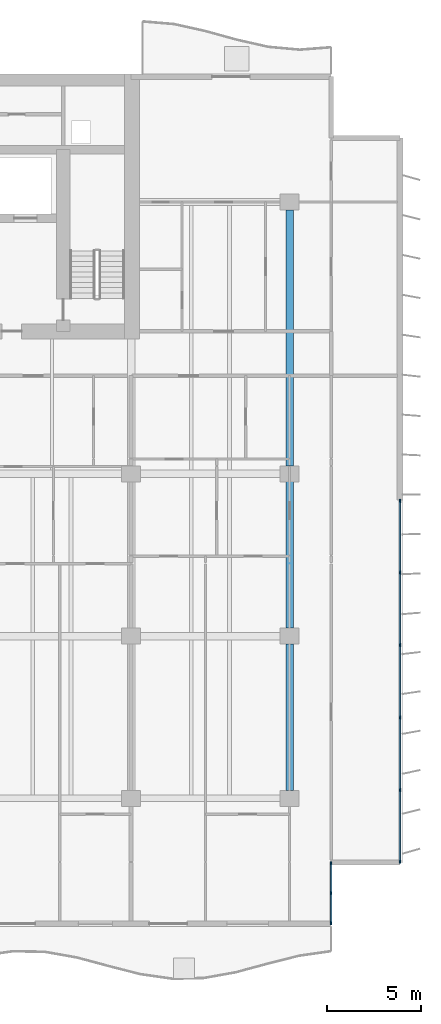
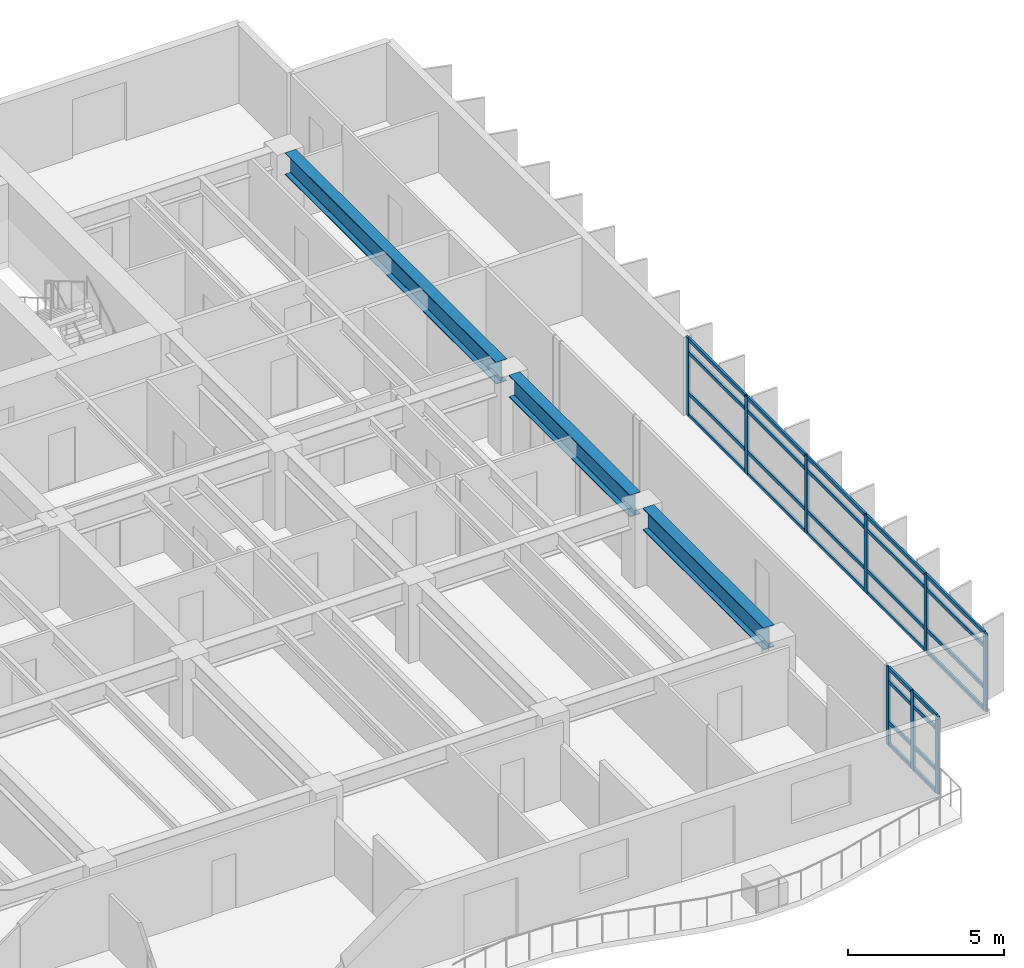
# One storey, part 4 of 16: 37 members, 3 beams, 2 elements without a shape of their own.
"""IFC4 building model written with IfcOpenShell, lengths in metres."""

from ifc_helpers import new_model, si_unit, direction, frame, origin, origin_2d, place, context, subcontext, project, spatial, rectangle, i_section, extrude, material, layer, layer_set, material_profile, profile_set, type_object, element, aggregate, save


model = new_model("IFC4")

# Units and contexts
model_context = context("Model", 3, precision=1e-05, world=origin(), true_north=direction((0.0, 1.0)))
body_context = subcontext(model_context, "Body", "Model", "MODEL_VIEW")
ifc_project = project(units=[si_unit("LENGTHUNIT", "METRE"), si_unit("AREAUNIT", "SQUARE_METRE"), si_unit("VOLUMEUNIT", "CUBIC_METRE"), si_unit("PLANEANGLEUNIT", "RADIAN"), si_unit("MASSUNIT", "GRAM", prefix="KILO")], contexts=[model_context])

# Site, building, storey
site_placement = place(None, origin())
site = spatial("IfcSite", under=ifc_project, at=site_placement, CompositionType="ELEMENT")
building_placement = place(site_placement, origin())
building = spatial("IfcBuilding", under=site, at=building_placement, Name="Caelmar Bay Residences", CompositionType="ELEMENT")
storey_placement = place(building_placement, frame((0.0, 0.0, 102.60009765625)))
storey = spatial("IfcBuildingStorey", under=building, at=storey_placement, Name="L27", CompositionType="ELEMENT", Elevation=102.60009765625)

# Beams
ifc_material_1 = material(Name="Steel ASTM A992 Grade 50", Category="steel")
ifc_material_profile_1 = material_profile(ifc_material_1, i_section(OverallWidth=0.40087890625, OverallDepth=0.861083984375, WebThickness=0.019775390625, FlangeThickness=0.032470703125, FilletRadius=0.017822265625, at=origin_2d()), Name="W33X221")
ifc_profile_set_1 = profile_set([ifc_material_profile_1], Name="Steel ASTM A992 Grade 50")
beam_type = type_object("IfcBeamType", Name="BM-GRD-W33X221", PredefinedType="BEAM", material=ifc_profile_set_1)
for number, where, z_axis, x_axis, name in (
    (1, (67.89990234375, 12.614990234375, 2.619384765625), (0.0, 1.0, 0.0), (-1.0, 0.0, 0.0), "L27 North-South Girder X=67.90 (12.2-20.8)"),
    (2, (67.89990234375, 21.215087890625, 2.619384765625), (0.0, 1.0, 0.0), (-1.0, 0.0, 0.0), "L27 North-South Girder X=67.90 (20.8-29.4)"),
):
    element("IfcBeam", number, at=place(storey_placement, frame(where, z_axis=z_axis, x_axis=x_axis)), inside=storey, type_object=beam_type, Name=name, PredefinedType="BEAM", context=body_context, shape_type="SweptSolid", body=[
        extrude(i_section(OverallWidth=0.40087890625, OverallDepth=0.861083984375, WebThickness=0.019775390625, FlangeThickness=0.032470703125, FilletRadius=0.017822265625, at=origin_2d()), origin(), (0.0, 0.0, 1.0), 7.77001953125),
    ])
beam_placement = place(storey_placement, frame((67.89990234375, 29.81494140625, 2.619384765625), z_axis=(0.0, 1.0, 0.0), x_axis=(-1.0, 0.0, 0.0)))
element("IfcBeam", 3, at=beam_placement, inside=storey, type_object=beam_type, Name="L27 North-South Girder X=67.90 (29.4-43.8)", PredefinedType="BEAM", context=body_context, shape_type="SweptSolid", body=[
    extrude(i_section(OverallWidth=0.40087890625, OverallDepth=0.861083984375, WebThickness=0.019775390625, FlangeThickness=0.032470703125, FilletRadius=0.017822265625, at=origin_2d()), origin(), (0.0, 0.0, 1.0), 13.570068359375),
])

# Curtain wall, members
ifc_material_2 = material(Name="Anodised bronze aluminium 6063-T6 and laminated glass", Category="aluminium")
ifc_layer_1 = layer(ifc_material_2, 0.179931640625)
ifc_layer_set_1 = layer_set([ifc_layer_1], Name="Anodised bronze aluminium 6063-T6 and laminated glass")
curtain_wall_type_1 = type_object("IfcCurtainWallType", Name="CW6-NTC", PredefinedType="NOTDEFINED", material=ifc_layer_set_1)
curtain_wall_1_placement = place(storey_placement, origin())
curtain_wall_1 = element("IfcCurtainWall", 4, at=curtain_wall_1_placement, inside=storey, type_object=curtain_wall_type_1, Name="CW6 curtain wall L27", PredefinedType="NOTDEFINED")
ifc_material_3 = material(Name="Anodised bronze aluminium 6063-T6", Category="aluminium")
ifc_material_profile_2 = material_profile(ifc_material_3, rectangle(XDim=0.080078125, YDim=0.179931640625, at=origin_2d()), Name="CWM-80X180")
ifc_profile_set_2 = profile_set([ifc_material_profile_2], Name="Anodised bronze aluminium 6063-T6")
member_type_1 = type_object("IfcMemberType", Name="CWM-180", PredefinedType="MULLION", material=ifc_profile_set_2)
member_1_placement = place(storey_placement, frame((70.10009765625, 5.590087890625, 0.0), z_axis=(0.0, 0.0, 1.0), x_axis=(-1.0, 0.0, 0.0)))
member_1 = element("IfcMember", 5, at=member_1_placement, type_object=member_type_1, Name="CW6 mullion 1", PredefinedType="MULLION", context=body_context, shape_type="SweptSolid", body=[
    extrude(rectangle(XDim=0.080078125, YDim=0.179931640625, at=origin_2d()), origin(), (0.0, 0.0, 1.0), 3.0498046875),
])
member_2_placement = place(storey_placement, frame((70.10009765625, 7.175048828125, 0.0), z_axis=(0.0, 0.0, 1.0), x_axis=(-1.0, 0.0, 0.0)))
member_2 = element("IfcMember", 6, at=member_2_placement, type_object=member_type_1, Name="CW6 mullion 2", PredefinedType="MULLION", context=body_context, shape_type="SweptSolid", body=[
    extrude(rectangle(XDim=0.080078125, YDim=0.179931640625, at=origin_2d()), origin(), (0.0, 0.0, 1.0), 3.0498046875),
])
member_3_placement = place(storey_placement, frame((70.10009765625, 8.760009765625, 0.0), z_axis=(0.0, 0.0, 1.0), x_axis=(-1.0, 0.0, 0.0)))
member_3 = element("IfcMember", 7, at=member_3_placement, type_object=member_type_1, Name="CW6 mullion 3", PredefinedType="MULLION", context=body_context, shape_type="SweptSolid", body=[
    extrude(rectangle(XDim=0.080078125, YDim=0.179931640625, at=origin_2d()), origin(), (0.0, 0.0, 1.0), 3.0498046875),
])

ifc_layer_2 = layer(ifc_material_2, 0.179931640625)
ifc_layer_set_2 = layer_set([ifc_layer_2], Name="Anodised bronze aluminium 6063-T6 and laminated glass")
curtain_wall_type_2 = type_object("IfcCurtainWallType", Name="CW3-Z2", PredefinedType="NOTDEFINED", material=ifc_layer_set_2)
curtain_wall_2_placement = place(storey_placement, origin())
curtain_wall_2 = element("IfcCurtainWall", 8, at=curtain_wall_2_placement, inside=storey, type_object=curtain_wall_type_2, Name="CW3 curtain wall L27", PredefinedType="NOTDEFINED")
member_4_placement = place(storey_placement, frame((73.75, 27.9599609375, 0.0), z_axis=(0.0, 0.0, 1.0), x_axis=(1.0, 0.0, 0.0)))
member_4 = element("IfcMember", 9, at=member_4_placement, type_object=member_type_1, Name="CW3 mullion 1", PredefinedType="MULLION", context=body_context, shape_type="SweptSolid", body=[
    extrude(rectangle(XDim=0.080078125, YDim=0.179931640625, at=origin_2d()), origin(), (0.0, 0.0, 1.0), 3.0498046875),
])
member_5_placement = place(storey_placement, frame((73.75, 24.159912109375, 0.0), z_axis=(0.0, 0.0, 1.0), x_axis=(1.0, 0.0, 0.0)))
member_5 = element("IfcMember", 10, at=member_5_placement, type_object=member_type_1, Name="CW3 mullion 2", PredefinedType="MULLION", context=body_context, shape_type="SweptSolid", body=[
    extrude(rectangle(XDim=0.080078125, YDim=0.179931640625, at=origin_2d()), origin(), (0.0, 0.0, 1.0), 3.0498046875),
])
member_6_placement = place(storey_placement, frame((73.75, 20.320068359375, 0.0), z_axis=(0.0, 0.0, 1.0), x_axis=(1.0, 0.0, 0.0)))
member_6 = element("IfcMember", 11, at=member_6_placement, type_object=member_type_1, Name="CW3 mullion 3", PredefinedType="MULLION", context=body_context, shape_type="SweptSolid", body=[
    extrude(rectangle(XDim=0.080078125, YDim=0.179931640625, at=origin_2d()), origin(), (0.0, 0.0, 1.0), 3.0498046875),
])
member_7_placement = place(storey_placement, frame((73.75, 16.47998046875, 0.0), z_axis=(0.0, 0.0, 1.0), x_axis=(1.0, 0.0, 0.0)))
member_7 = element("IfcMember", 12, at=member_7_placement, type_object=member_type_1, Name="CW3 mullion 4", PredefinedType="MULLION", context=body_context, shape_type="SweptSolid", body=[
    extrude(rectangle(XDim=0.080078125, YDim=0.179931640625, at=origin_2d()), origin(), (0.0, 0.0, 1.0), 3.0498046875),
])
member_8_placement = place(storey_placement, frame((73.75, 12.639892578125, 0.0), z_axis=(0.0, 0.0, 1.0), x_axis=(1.0, 0.0, 0.0)))
member_8 = element("IfcMember", 13, at=member_8_placement, type_object=member_type_1, Name="CW3 mullion 5", PredefinedType="MULLION", context=body_context, shape_type="SweptSolid", body=[
    extrude(rectangle(XDim=0.080078125, YDim=0.179931640625, at=origin_2d()), origin(), (0.0, 0.0, 1.0), 3.0498046875),
])
member_9_placement = place(storey_placement, frame((73.75, 8.840087890625, 0.0), z_axis=(0.0, 0.0, 1.0), x_axis=(1.0, 0.0, 0.0)))
member_9 = element("IfcMember", 14, at=member_9_placement, type_object=member_type_1, Name="CW3 mullion 6", PredefinedType="MULLION", context=body_context, shape_type="SweptSolid", body=[
    extrude(rectangle(XDim=0.080078125, YDim=0.179931640625, at=origin_2d()), origin(), (0.0, 0.0, 1.0), 3.0498046875),
])

# Member
ifc_material_profile_3 = material_profile(ifc_material_3, rectangle(XDim=0.080078125, YDim=0.139892578125, at=origin_2d()), Name="CWT-80X140")
ifc_profile_set_3 = profile_set([ifc_material_profile_3], Name="Anodised bronze aluminium 6063-T6")
member_type_2 = type_object("IfcMemberType", Name="CWT-140", PredefinedType="NOTDEFINED", material=ifc_profile_set_3)
member_10_placement = place(storey_placement, frame((70.10009765625, 5.6298828125, 0.039794921875), z_axis=(0.0, 1.0, 0.0), x_axis=(-1.0, 0.0, 0.0)))
member_10 = element("IfcMember", 15, at=member_10_placement, type_object=member_type_2, Name="CW6 transom 1.1", ObjectType="TRANSOM", PredefinedType="USERDEFINED", context=body_context, shape_type="SweptSolid", body=[
    extrude(rectangle(XDim=0.080078125, YDim=0.139892578125, at=origin_2d()), origin(), (0.0, 0.0, 1.0), 1.505126953125),
])

member_11_placement = place(storey_placement, frame((70.10009765625, 5.6298828125, 0.89990234375), z_axis=(0.0, 1.0, 0.0), x_axis=(-1.0, 0.0, 0.0)))
member_11 = element("IfcMember", 16, at=member_11_placement, type_object=member_type_2, Name="CW6 transom 1.2", ObjectType="TRANSOM", PredefinedType="USERDEFINED", context=body_context, shape_type="SweptSolid", body=[
    extrude(rectangle(XDim=0.080078125, YDim=0.139892578125, at=origin_2d()), origin(), (0.0, 0.0, 1.0), 1.505126953125),
])

member_12_placement = place(storey_placement, frame((70.10009765625, 5.6298828125, 2.5), z_axis=(0.0, 1.0, 0.0), x_axis=(-1.0, 0.0, 0.0)))
member_12 = element("IfcMember", 17, at=member_12_placement, type_object=member_type_2, Name="CW6 transom 1.3", ObjectType="TRANSOM", PredefinedType="USERDEFINED", context=body_context, shape_type="SweptSolid", body=[
    extrude(rectangle(XDim=0.080078125, YDim=0.139892578125, at=origin_2d()), origin(), (0.0, 0.0, 1.0), 1.505126953125),
])

member_13_placement = place(storey_placement, frame((70.10009765625, 5.6298828125, 3.010009765625), z_axis=(0.0, 1.0, 0.0), x_axis=(-1.0, 0.0, 0.0)))
member_13 = element("IfcMember", 18, at=member_13_placement, type_object=member_type_2, Name="CW6 transom 1.4", ObjectType="TRANSOM", PredefinedType="USERDEFINED", context=body_context, shape_type="SweptSolid", body=[
    extrude(rectangle(XDim=0.080078125, YDim=0.139892578125, at=origin_2d()), origin(), (0.0, 0.0, 1.0), 1.505126953125),
])

member_14_placement = place(storey_placement, frame((70.10009765625, 7.215087890625, 0.039794921875), z_axis=(0.0, 1.0, 0.0), x_axis=(-1.0, 0.0, 0.0)))
member_14 = element("IfcMember", 19, at=member_14_placement, type_object=member_type_2, Name="CW6 transom 2.1", ObjectType="TRANSOM", PredefinedType="USERDEFINED", context=body_context, shape_type="SweptSolid", body=[
    extrude(rectangle(XDim=0.080078125, YDim=0.139892578125, at=origin_2d()), origin(), (0.0, 0.0, 1.0), 1.5048828125),
])

member_15_placement = place(storey_placement, frame((70.10009765625, 7.215087890625, 0.89990234375), z_axis=(0.0, 1.0, 0.0), x_axis=(-1.0, 0.0, 0.0)))
member_15 = element("IfcMember", 20, at=member_15_placement, type_object=member_type_2, Name="CW6 transom 2.2", ObjectType="TRANSOM", PredefinedType="USERDEFINED", context=body_context, shape_type="SweptSolid", body=[
    extrude(rectangle(XDim=0.080078125, YDim=0.139892578125, at=origin_2d()), origin(), (0.0, 0.0, 1.0), 1.5048828125),
])

member_16_placement = place(storey_placement, frame((70.10009765625, 7.215087890625, 2.5), z_axis=(0.0, 1.0, 0.0), x_axis=(-1.0, 0.0, 0.0)))
member_16 = element("IfcMember", 21, at=member_16_placement, type_object=member_type_2, Name="CW6 transom 2.3", ObjectType="TRANSOM", PredefinedType="USERDEFINED", context=body_context, shape_type="SweptSolid", body=[
    extrude(rectangle(XDim=0.080078125, YDim=0.139892578125, at=origin_2d()), origin(), (0.0, 0.0, 1.0), 1.5048828125),
])

member_17_placement = place(storey_placement, frame((70.10009765625, 7.215087890625, 3.010009765625), z_axis=(0.0, 1.0, 0.0), x_axis=(-1.0, 0.0, 0.0)))
member_17 = element("IfcMember", 22, at=member_17_placement, type_object=member_type_2, Name="CW6 transom 2.4", ObjectType="TRANSOM", PredefinedType="USERDEFINED", context=body_context, shape_type="SweptSolid", body=[
    extrude(rectangle(XDim=0.080078125, YDim=0.139892578125, at=origin_2d()), origin(), (0.0, 0.0, 1.0), 1.5048828125),
])

aggregate(curtain_wall_1, [member_1, member_2, member_3, member_10, member_11, member_12, member_13, member_14, member_15, member_16, member_17])

member_18_placement = place(storey_placement, frame((73.75, 27.919921875, 0.039794921875), z_axis=(0.0, -1.0, 0.0), x_axis=(1.0, 0.0, 0.0)))
member_18 = element("IfcMember", 23, at=member_18_placement, type_object=member_type_2, Name="CW3 transom 1.1", ObjectType="TRANSOM", PredefinedType="USERDEFINED", context=body_context, shape_type="SweptSolid", body=[
    extrude(rectangle(XDim=0.080078125, YDim=0.139892578125, at=origin_2d()), origin(), (0.0, 0.0, 1.0), 3.719970703125),
])

member_19_placement = place(storey_placement, frame((73.75, 27.919921875, 0.89990234375), z_axis=(0.0, -1.0, 0.0), x_axis=(1.0, 0.0, 0.0)))
member_19 = element("IfcMember", 24, at=member_19_placement, type_object=member_type_2, Name="CW3 transom 1.2", ObjectType="TRANSOM", PredefinedType="USERDEFINED", context=body_context, shape_type="SweptSolid", body=[
    extrude(rectangle(XDim=0.080078125, YDim=0.139892578125, at=origin_2d()), origin(), (0.0, 0.0, 1.0), 3.719970703125),
])

member_20_placement = place(storey_placement, frame((73.75, 27.919921875, 2.5), z_axis=(0.0, -1.0, 0.0), x_axis=(1.0, 0.0, 0.0)))
member_20 = element("IfcMember", 25, at=member_20_placement, type_object=member_type_2, Name="CW3 transom 1.3", ObjectType="TRANSOM", PredefinedType="USERDEFINED", context=body_context, shape_type="SweptSolid", body=[
    extrude(rectangle(XDim=0.080078125, YDim=0.139892578125, at=origin_2d()), origin(), (0.0, 0.0, 1.0), 3.719970703125),
])

member_21_placement = place(storey_placement, frame((73.75, 27.919921875, 3.010009765625), z_axis=(0.0, -1.0, 0.0), x_axis=(1.0, 0.0, 0.0)))
member_21 = element("IfcMember", 26, at=member_21_placement, type_object=member_type_2, Name="CW3 transom 1.4", ObjectType="TRANSOM", PredefinedType="USERDEFINED", context=body_context, shape_type="SweptSolid", body=[
    extrude(rectangle(XDim=0.080078125, YDim=0.139892578125, at=origin_2d()), origin(), (0.0, 0.0, 1.0), 3.719970703125),
])

member_22_placement = place(storey_placement, frame((73.75, 24.1201171875, 0.039794921875), z_axis=(0.0, -1.0, 0.0), x_axis=(1.0, 0.0, 0.0)))
member_22 = element("IfcMember", 27, at=member_22_placement, type_object=member_type_2, Name="CW3 transom 2.1", ObjectType="TRANSOM", PredefinedType="USERDEFINED", context=body_context, shape_type="SweptSolid", body=[
    extrude(rectangle(XDim=0.080078125, YDim=0.139892578125, at=origin_2d()), origin(), (0.0, 0.0, 1.0), 3.760009765625),
])

member_23_placement = place(storey_placement, frame((73.75, 24.1201171875, 0.89990234375), z_axis=(0.0, -1.0, 0.0), x_axis=(1.0, 0.0, 0.0)))
member_23 = element("IfcMember", 28, at=member_23_placement, type_object=member_type_2, Name="CW3 transom 2.2", ObjectType="TRANSOM", PredefinedType="USERDEFINED", context=body_context, shape_type="SweptSolid", body=[
    extrude(rectangle(XDim=0.080078125, YDim=0.139892578125, at=origin_2d()), origin(), (0.0, 0.0, 1.0), 3.760009765625),
])

member_24_placement = place(storey_placement, frame((73.75, 24.1201171875, 2.5), z_axis=(0.0, -1.0, 0.0), x_axis=(1.0, 0.0, 0.0)))
member_24 = element("IfcMember", 29, at=member_24_placement, type_object=member_type_2, Name="CW3 transom 2.3", ObjectType="TRANSOM", PredefinedType="USERDEFINED", context=body_context, shape_type="SweptSolid", body=[
    extrude(rectangle(XDim=0.080078125, YDim=0.139892578125, at=origin_2d()), origin(), (0.0, 0.0, 1.0), 3.760009765625),
])

member_25_placement = place(storey_placement, frame((73.75, 24.1201171875, 3.010009765625), z_axis=(0.0, -1.0, 0.0), x_axis=(1.0, 0.0, 0.0)))
member_25 = element("IfcMember", 30, at=member_25_placement, type_object=member_type_2, Name="CW3 transom 2.4", ObjectType="TRANSOM", PredefinedType="USERDEFINED", context=body_context, shape_type="SweptSolid", body=[
    extrude(rectangle(XDim=0.080078125, YDim=0.139892578125, at=origin_2d()), origin(), (0.0, 0.0, 1.0), 3.760009765625),
])

member_26_placement = place(storey_placement, frame((73.75, 20.280029296875, 0.039794921875), z_axis=(0.0, -1.0, 0.0), x_axis=(1.0, 0.0, 0.0)))
member_26 = element("IfcMember", 31, at=member_26_placement, type_object=member_type_2, Name="CW3 transom 3.1", ObjectType="TRANSOM", PredefinedType="USERDEFINED", context=body_context, shape_type="SweptSolid", body=[
    extrude(rectangle(XDim=0.080078125, YDim=0.139892578125, at=origin_2d()), origin(), (0.0, 0.0, 1.0), 3.760009765625),
])

member_27_placement = place(storey_placement, frame((73.75, 20.280029296875, 0.89990234375), z_axis=(0.0, -1.0, 0.0), x_axis=(1.0, 0.0, 0.0)))
member_27 = element("IfcMember", 32, at=member_27_placement, type_object=member_type_2, Name="CW3 transom 3.2", ObjectType="TRANSOM", PredefinedType="USERDEFINED", context=body_context, shape_type="SweptSolid", body=[
    extrude(rectangle(XDim=0.080078125, YDim=0.139892578125, at=origin_2d()), origin(), (0.0, 0.0, 1.0), 3.760009765625),
])

member_28_placement = place(storey_placement, frame((73.75, 20.280029296875, 2.5), z_axis=(0.0, -1.0, 0.0), x_axis=(1.0, 0.0, 0.0)))
member_28 = element("IfcMember", 33, at=member_28_placement, type_object=member_type_2, Name="CW3 transom 3.3", ObjectType="TRANSOM", PredefinedType="USERDEFINED", context=body_context, shape_type="SweptSolid", body=[
    extrude(rectangle(XDim=0.080078125, YDim=0.139892578125, at=origin_2d()), origin(), (0.0, 0.0, 1.0), 3.760009765625),
])

member_29_placement = place(storey_placement, frame((73.75, 20.280029296875, 3.010009765625), z_axis=(0.0, -1.0, 0.0), x_axis=(1.0, 0.0, 0.0)))
member_29 = element("IfcMember", 34, at=member_29_placement, type_object=member_type_2, Name="CW3 transom 3.4", ObjectType="TRANSOM", PredefinedType="USERDEFINED", context=body_context, shape_type="SweptSolid", body=[
    extrude(rectangle(XDim=0.080078125, YDim=0.139892578125, at=origin_2d()), origin(), (0.0, 0.0, 1.0), 3.760009765625),
])

member_30_placement = place(storey_placement, frame((73.75, 16.43994140625, 0.039794921875), z_axis=(0.0, -1.0, 0.0), x_axis=(1.0, 0.0, 0.0)))
member_30 = element("IfcMember", 35, at=member_30_placement, type_object=member_type_2, Name="CW3 transom 4.1", ObjectType="TRANSOM", PredefinedType="USERDEFINED", context=body_context, shape_type="SweptSolid", body=[
    extrude(rectangle(XDim=0.080078125, YDim=0.139892578125, at=origin_2d()), origin(), (0.0, 0.0, 1.0), 3.760009765625),
])

member_31_placement = place(storey_placement, frame((73.75, 16.43994140625, 0.89990234375), z_axis=(0.0, -1.0, 0.0), x_axis=(1.0, 0.0, 0.0)))
member_31 = element("IfcMember", 36, at=member_31_placement, type_object=member_type_2, Name="CW3 transom 4.2", ObjectType="TRANSOM", PredefinedType="USERDEFINED", context=body_context, shape_type="SweptSolid", body=[
    extrude(rectangle(XDim=0.080078125, YDim=0.139892578125, at=origin_2d()), origin(), (0.0, 0.0, 1.0), 3.760009765625),
])

member_32_placement = place(storey_placement, frame((73.75, 16.43994140625, 2.5), z_axis=(0.0, -1.0, 0.0), x_axis=(1.0, 0.0, 0.0)))
member_32 = element("IfcMember", 37, at=member_32_placement, type_object=member_type_2, Name="CW3 transom 4.3", ObjectType="TRANSOM", PredefinedType="USERDEFINED", context=body_context, shape_type="SweptSolid", body=[
    extrude(rectangle(XDim=0.080078125, YDim=0.139892578125, at=origin_2d()), origin(), (0.0, 0.0, 1.0), 3.760009765625),
])

member_33_placement = place(storey_placement, frame((73.75, 16.43994140625, 3.010009765625), z_axis=(0.0, -1.0, 0.0), x_axis=(1.0, 0.0, 0.0)))
member_33 = element("IfcMember", 38, at=member_33_placement, type_object=member_type_2, Name="CW3 transom 4.4", ObjectType="TRANSOM", PredefinedType="USERDEFINED", context=body_context, shape_type="SweptSolid", body=[
    extrude(rectangle(XDim=0.080078125, YDim=0.139892578125, at=origin_2d()), origin(), (0.0, 0.0, 1.0), 3.760009765625),
])

member_34_placement = place(storey_placement, frame((73.75, 12.60009765625, 0.039794921875), z_axis=(0.0, -1.0, 0.0), x_axis=(1.0, 0.0, 0.0)))
member_34 = element("IfcMember", 39, at=member_34_placement, type_object=member_type_2, Name="CW3 transom 5.1", ObjectType="TRANSOM", PredefinedType="USERDEFINED", context=body_context, shape_type="SweptSolid", body=[
    extrude(rectangle(XDim=0.080078125, YDim=0.139892578125, at=origin_2d()), origin(), (0.0, 0.0, 1.0), 3.72021484375),
])

member_35_placement = place(storey_placement, frame((73.75, 12.60009765625, 0.89990234375), z_axis=(0.0, -1.0, 0.0), x_axis=(1.0, 0.0, 0.0)))
member_35 = element("IfcMember", 40, at=member_35_placement, type_object=member_type_2, Name="CW3 transom 5.2", ObjectType="TRANSOM", PredefinedType="USERDEFINED", context=body_context, shape_type="SweptSolid", body=[
    extrude(rectangle(XDim=0.080078125, YDim=0.139892578125, at=origin_2d()), origin(), (0.0, 0.0, 1.0), 3.72021484375),
])

member_36_placement = place(storey_placement, frame((73.75, 12.60009765625, 2.5), z_axis=(0.0, -1.0, 0.0), x_axis=(1.0, 0.0, 0.0)))
member_36 = element("IfcMember", 41, at=member_36_placement, type_object=member_type_2, Name="CW3 transom 5.3", ObjectType="TRANSOM", PredefinedType="USERDEFINED", context=body_context, shape_type="SweptSolid", body=[
    extrude(rectangle(XDim=0.080078125, YDim=0.139892578125, at=origin_2d()), origin(), (0.0, 0.0, 1.0), 3.72021484375),
])

member_37_placement = place(storey_placement, frame((73.75, 12.60009765625, 3.010009765625), z_axis=(0.0, -1.0, 0.0), x_axis=(1.0, 0.0, 0.0)))
member_37 = element("IfcMember", 42, at=member_37_placement, type_object=member_type_2, Name="CW3 transom 5.4", ObjectType="TRANSOM", PredefinedType="USERDEFINED", context=body_context, shape_type="SweptSolid", body=[
    extrude(rectangle(XDim=0.080078125, YDim=0.139892578125, at=origin_2d()), origin(), (0.0, 0.0, 1.0), 3.72021484375),
])

aggregate(curtain_wall_2, [member_4, member_5, member_6, member_7, member_8, member_9, member_18, member_19, member_20, member_21, member_22, member_23, member_24, member_25, member_26, member_27, member_28, member_29, member_30, member_31, member_32, member_33, member_34, member_35, member_36, member_37])

save(model, "model.ifc")
